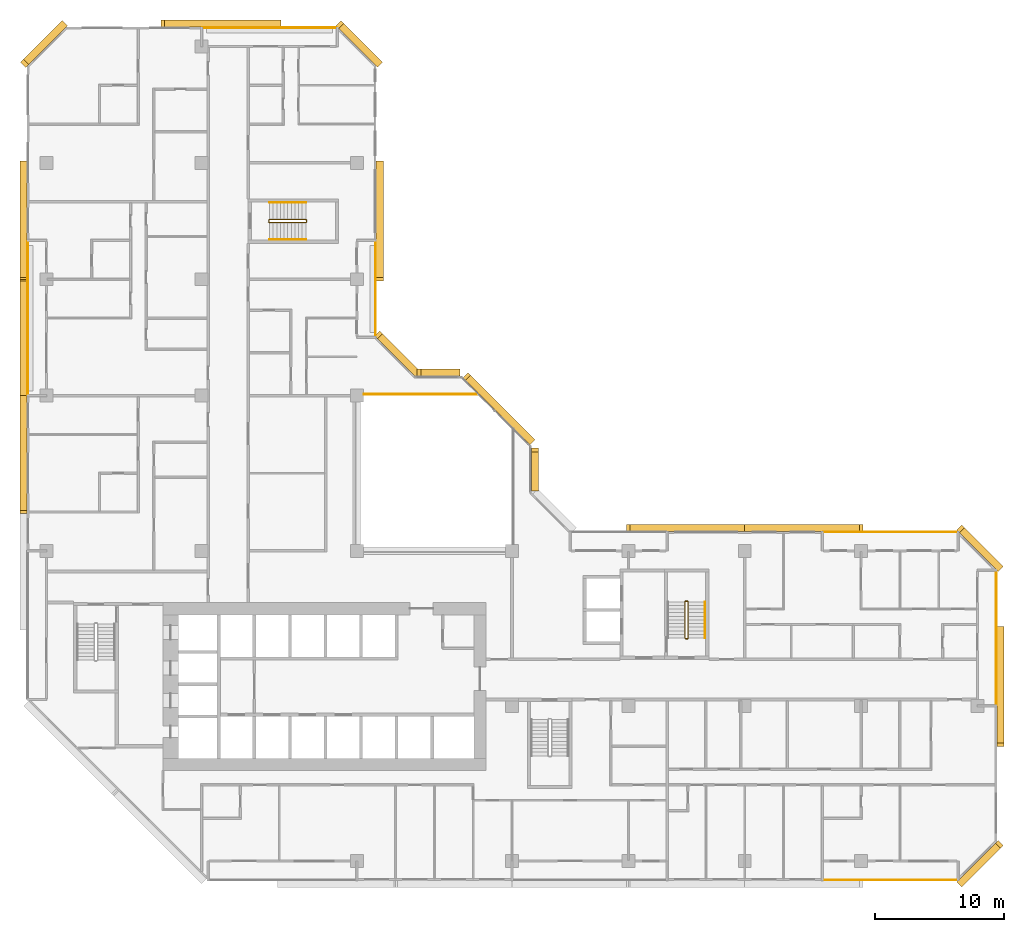
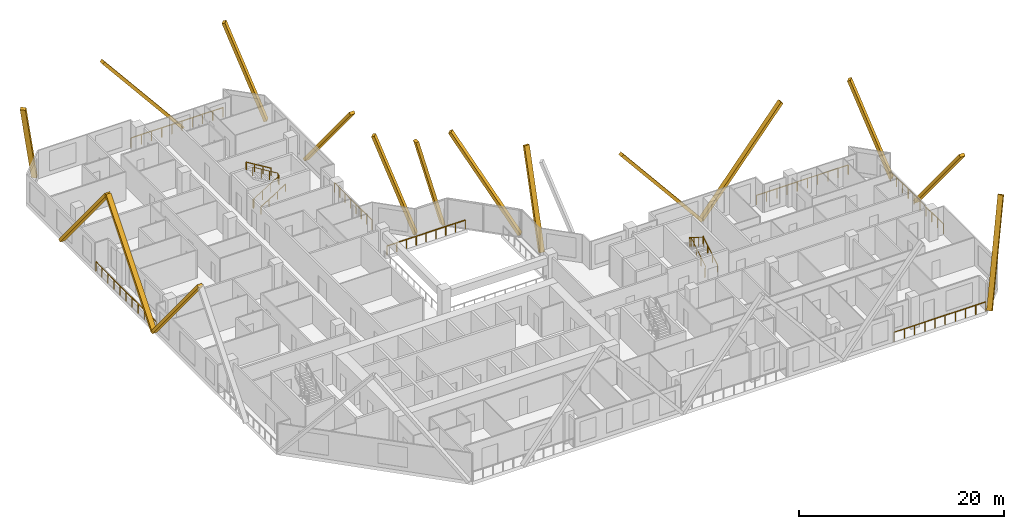
# One storey, part 15 of 15: 16 coverings, 12 railings.
"""IFC4 building model written with IfcOpenShell, lengths in metres."""

from ifc_helpers import new_model, si_unit, direction, frame, origin, origin_2d, place, context, subcontext, project, spatial, rectangle, extrude, material, material_profile, profile_set, type_object, element, save


model = new_model("IFC4")

# Units and contexts
model_context = context("Model", 3, precision=1e-05, world=origin(), true_north=direction((0.0, 1.0)))
body_context = subcontext(model_context, "Body", "Model", "MODEL_VIEW")
ifc_project = project(units=[si_unit("LENGTHUNIT", "METRE"), si_unit("AREAUNIT", "SQUARE_METRE"), si_unit("VOLUMEUNIT", "CUBIC_METRE"), si_unit("PLANEANGLEUNIT", "RADIAN"), si_unit("MASSUNIT", "GRAM", prefix="KILO")], contexts=[model_context])

# Site, building, storey
site_placement = place(None, origin())
site = spatial("IfcSite", under=ifc_project, at=site_placement, CompositionType="ELEMENT")
building_placement = place(site_placement, origin())
building = spatial("IfcBuilding", under=site, at=building_placement, Name="Chenar Terraces", CompositionType="ELEMENT")
storey_placement = place(building_placement, frame((0.0, 0.0, 129.39990234375)))
storey = spatial("IfcBuildingStorey", under=building, at=storey_placement, Name="L30", CompositionType="ELEMENT", Elevation=129.39990234375)

# Railings
ifc_material_1 = material(Name="Powder-coated steel", Category="steel")
railing_type_1 = type_object("IfcRailingType", Name="Guard 1100 steel rail with glass infill", PredefinedType="GUARDRAIL", material=ifc_material_1)
railing_1_placement = place(storey_placement, frame((24.550048828125, 36.10009765625, 0.0)))
element("IfcRailing", 1, at=railing_1_placement, inside=storey, type_object=railing_type_1, Name="Guard L30-2", PredefinedType="GUARDRAIL", context=body_context, shape_type="SweptSolid", body=[
    extrude(rectangle(XDim=0.06005859375, YDim=0.06005859375, at=origin_2d()), frame((0.0, 0.0, 1.070068359375), z_axis=(1.0, 0.0, 0.0), x_axis=(0.0, 1.0, 0.0)), (0.0, 0.0, 1.0), 8.849853515625),
    extrude(rectangle(XDim=0.050048828125, YDim=0.050048828125, at=origin_2d()), origin(), (0.0, 0.0, 1.0), 1.0400390625),
    extrude(rectangle(XDim=0.050048828125, YDim=0.050048828125, at=origin_2d()), frame((1.106201171875, 0.0, 0.0)), (0.0, 0.0, 1.0), 1.0400390625),
    extrude(rectangle(XDim=0.050048828125, YDim=0.050048828125, at=origin_2d()), frame((2.21240234375, 0.0, 0.0)), (0.0, 0.0, 1.0), 1.0400390625),
    extrude(rectangle(XDim=0.050048828125, YDim=0.050048828125, at=origin_2d()), frame((3.318603515625, 0.0, 0.0)), (0.0, 0.0, 1.0), 1.0400390625),
    extrude(rectangle(XDim=0.050048828125, YDim=0.050048828125, at=origin_2d()), frame((4.4248046875, 0.0, 0.0)), (0.0, 0.0, 1.0), 1.0400390625),
    extrude(rectangle(XDim=0.050048828125, YDim=0.050048828125, at=origin_2d()), frame((5.53125, 0.0, 0.0)), (0.0, 0.0, 1.0), 1.0400390625),
    extrude(rectangle(XDim=0.050048828125, YDim=0.050048828125, at=origin_2d()), frame((6.637451171875, 0.0, 0.0)), (0.0, 0.0, 1.0), 1.0400390625),
    extrude(rectangle(XDim=0.050048828125, YDim=0.050048828125, at=origin_2d()), frame((7.74365234375, 0.0, 0.0)), (0.0, 0.0, 1.0), 1.0400390625),
    extrude(rectangle(XDim=0.050048828125, YDim=0.050048828125, at=origin_2d()), frame((8.849853515625, 0.0, 0.0)), (0.0, 0.0, 1.0), 1.0400390625),
])
ifc_material_2 = material(Name="Stainless steel and glass", Category="steel")
railing_type_2 = type_object("IfcRailingType", Name="Loggia guard 1150", PredefinedType="GUARDRAIL", material=ifc_material_2)
railing_2_placement = place(storey_placement, frame((25.449951171875, 40.574951171875, 0.0)))
element("IfcRailing", 2, at=railing_2_placement, inside=storey, type_object=railing_type_2, Name="Loggia guard", PredefinedType="GUARDRAIL", context=body_context, shape_type="SweptSolid", body=[
    extrude(rectangle(XDim=0.048095703125, YDim=0.048095703125, at=origin_2d()), frame((0.0, 0.0, 1.1259765625), z_axis=(0.0, 1.0, 0.0), x_axis=(-1.0, 0.0, 0.0)), (0.0, 0.0, 1.0), 7.35009765625),
    extrude(rectangle(XDim=0.0419921875, YDim=0.0419921875, at=origin_2d()), origin(), (0.0, 0.0, 1.0), 1.101806640625),
    extrude(rectangle(XDim=0.0419921875, YDim=0.0419921875, at=origin_2d()), frame((0.0, 1.050048828125, 0.0)), (0.0, 0.0, 1.0), 1.101806640625),
    extrude(rectangle(XDim=0.0419921875, YDim=0.0419921875, at=origin_2d()), frame((0.0, 2.10009765625, 0.0)), (0.0, 0.0, 1.0), 1.101806640625),
    extrude(rectangle(XDim=0.0419921875, YDim=0.0419921875, at=origin_2d()), frame((0.0, 3.150146484375, 0.0)), (0.0, 0.0, 1.0), 1.101806640625),
    extrude(rectangle(XDim=0.0419921875, YDim=0.0419921875, at=origin_2d()), frame((0.0, 4.199951171875, 0.0)), (0.0, 0.0, 1.0), 1.101806640625),
    extrude(rectangle(XDim=0.0419921875, YDim=0.0419921875, at=origin_2d()), frame((0.0, 5.25, 0.0)), (0.0, 0.0, 1.0), 1.101806640625),
    extrude(rectangle(XDim=0.0419921875, YDim=0.0419921875, at=origin_2d()), frame((0.0, 6.300048828125, 0.0)), (0.0, 0.0, 1.0), 1.101806640625),
    extrude(rectangle(XDim=0.0419921875, YDim=0.0419921875, at=origin_2d()), frame((0.0, 7.35009765625, 0.0)), (0.0, 0.0, 1.0), 1.101806640625),
])
railing_3_placement = place(storey_placement, frame((73.449951171875, 12.074951171875, 0.0)))
element("IfcRailing", 3, at=railing_3_placement, inside=storey, type_object=railing_type_2, Name="Loggia guard", PredefinedType="GUARDRAIL", context=body_context, shape_type="SweptSolid", body=[
    extrude(rectangle(XDim=0.048095703125, YDim=0.048095703125, at=origin_2d()), frame((0.0, 0.0, 1.1259765625), z_axis=(0.0, 1.0, 0.0), x_axis=(-1.0, 0.0, 0.0)), (0.0, 0.0, 1.0), 10.35009765625),
    extrude(rectangle(XDim=0.0419921875, YDim=0.0419921875, at=origin_2d()), origin(), (0.0, 0.0, 1.0), 1.101806640625),
    extrude(rectangle(XDim=0.0419921875, YDim=0.0419921875, at=origin_2d()), frame((0.0, 1.14990234375, 0.0)), (0.0, 0.0, 1.0), 1.101806640625),
    extrude(rectangle(XDim=0.0419921875, YDim=0.0419921875, at=origin_2d()), frame((0.0, 2.300048828125, 0.0)), (0.0, 0.0, 1.0), 1.101806640625),
    extrude(rectangle(XDim=0.0419921875, YDim=0.0419921875, at=origin_2d()), frame((0.0, 3.449951171875, 0.0)), (0.0, 0.0, 1.0), 1.101806640625),
    extrude(rectangle(XDim=0.0419921875, YDim=0.0419921875, at=origin_2d()), frame((0.0, 4.60009765625, 0.0)), (0.0, 0.0, 1.0), 1.101806640625),
    extrude(rectangle(XDim=0.0419921875, YDim=0.0419921875, at=origin_2d()), frame((0.0, 5.75, 0.0)), (0.0, 0.0, 1.0), 1.101806640625),
    extrude(rectangle(XDim=0.0419921875, YDim=0.0419921875, at=origin_2d()), frame((0.0, 6.900146484375, 0.0)), (0.0, 0.0, 1.0), 1.101806640625),
    extrude(rectangle(XDim=0.0419921875, YDim=0.0419921875, at=origin_2d()), frame((0.0, 8.050048828125, 0.0)), (0.0, 0.0, 1.0), 1.101806640625),
    extrude(rectangle(XDim=0.0419921875, YDim=0.0419921875, at=origin_2d()), frame((0.0, 9.2001953125, 0.0)), (0.0, 0.0, 1.0), 1.101806640625),
    extrude(rectangle(XDim=0.0419921875, YDim=0.0419921875, at=origin_2d()), frame((0.0, 10.35009765625, 0.0)), (0.0, 0.0, 1.0), 1.101806640625),
])
for number, where, name in (
    (4, (70.425048828125, 25.449951171875, 0.0), "Loggia guard"),
    (5, (22.425048828125, 64.449951171875, 0.0), "Loggia guard"),
):
    element("IfcRailing", number, at=place(storey_placement, frame(where)), inside=storey, type_object=railing_type_2, Name=name, PredefinedType="GUARDRAIL", context=body_context, shape_type="SweptSolid", body=[
        extrude(rectangle(XDim=0.048095703125, YDim=0.048095703125, at=origin_2d()), frame((0.0, 0.0, 1.1259765625), z_axis=(-1.0, 0.0, 0.0), x_axis=(0.0, -1.0, 0.0)), (0.0, 0.0, 1.0), 10.35009765625),
        extrude(rectangle(XDim=0.0419921875, YDim=0.0419921875, at=origin_2d()), origin(), (0.0, 0.0, 1.0), 1.101806640625),
        extrude(rectangle(XDim=0.0419921875, YDim=0.0419921875, at=origin_2d()), frame((-1.14990234375, 0.0, 0.0)), (0.0, 0.0, 1.0), 1.101806640625),
        extrude(rectangle(XDim=0.0419921875, YDim=0.0419921875, at=origin_2d()), frame((-2.300048828125, 0.0, 0.0)), (0.0, 0.0, 1.0), 1.101806640625),
        extrude(rectangle(XDim=0.0419921875, YDim=0.0419921875, at=origin_2d()), frame((-3.449951171875, 0.0, 0.0)), (0.0, 0.0, 1.0), 1.101806640625),
        extrude(rectangle(XDim=0.0419921875, YDim=0.0419921875, at=origin_2d()), frame((-4.60009765625, 0.0, 0.0)), (0.0, 0.0, 1.0), 1.101806640625),
        extrude(rectangle(XDim=0.0419921875, YDim=0.0419921875, at=origin_2d()), frame((-5.75, 0.0, 0.0)), (0.0, 0.0, 1.0), 1.101806640625),
        extrude(rectangle(XDim=0.0419921875, YDim=0.0419921875, at=origin_2d()), frame((-6.900146484375, 0.0, 0.0)), (0.0, 0.0, 1.0), 1.101806640625),
        extrude(rectangle(XDim=0.0419921875, YDim=0.0419921875, at=origin_2d()), frame((-8.050048828125, 0.0, 0.0)), (0.0, 0.0, 1.0), 1.101806640625),
        extrude(rectangle(XDim=0.0419921875, YDim=0.0419921875, at=origin_2d()), frame((-9.2001953125, 0.0, 0.0)), (0.0, 0.0, 1.0), 1.101806640625),
        extrude(rectangle(XDim=0.0419921875, YDim=0.0419921875, at=origin_2d()), frame((-10.35009765625, 0.0, 0.0)), (0.0, 0.0, 1.0), 1.101806640625),
    ])
railing_4_placement = place(storey_placement, frame((60.074951171875, -1.449951171875, 0.0)))
element("IfcRailing", 6, at=railing_4_placement, inside=storey, type_object=railing_type_2, Name="Loggia guard", PredefinedType="GUARDRAIL", context=body_context, shape_type="SweptSolid", body=[
    extrude(rectangle(XDim=0.048095703125, YDim=0.048095703125, at=origin_2d()), frame((0.0, 0.0, 1.1259765625), z_axis=(1.0, 0.0, 0.0), x_axis=(0.0, 1.0, 0.0)), (0.0, 0.0, 1.0), 10.35009765625),
    extrude(rectangle(XDim=0.0419921875, YDim=0.0419921875, at=origin_2d()), origin(), (0.0, 0.0, 1.0), 1.101806640625),
    extrude(rectangle(XDim=0.0419921875, YDim=0.0419921875, at=origin_2d()), frame((1.14990234375, 0.0, 0.0)), (0.0, 0.0, 1.0), 1.101806640625),
    extrude(rectangle(XDim=0.0419921875, YDim=0.0419921875, at=origin_2d()), frame((2.300048828125, 0.0, 0.0)), (0.0, 0.0, 1.0), 1.101806640625),
    extrude(rectangle(XDim=0.0419921875, YDim=0.0419921875, at=origin_2d()), frame((3.449951171875, 0.0, 0.0)), (0.0, 0.0, 1.0), 1.101806640625),
    extrude(rectangle(XDim=0.0419921875, YDim=0.0419921875, at=origin_2d()), frame((4.60009765625, 0.0, 0.0)), (0.0, 0.0, 1.0), 1.101806640625),
    extrude(rectangle(XDim=0.0419921875, YDim=0.0419921875, at=origin_2d()), frame((5.75, 0.0, 0.0)), (0.0, 0.0, 1.0), 1.101806640625),
    extrude(rectangle(XDim=0.0419921875, YDim=0.0419921875, at=origin_2d()), frame((6.900146484375, 0.0, 0.0)), (0.0, 0.0, 1.0), 1.101806640625),
    extrude(rectangle(XDim=0.0419921875, YDim=0.0419921875, at=origin_2d()), frame((8.050048828125, 0.0, 0.0)), (0.0, 0.0, 1.0), 1.101806640625),
    extrude(rectangle(XDim=0.0419921875, YDim=0.0419921875, at=origin_2d()), frame((9.2001953125, 0.0, 0.0)), (0.0, 0.0, 1.0), 1.101806640625),
    extrude(rectangle(XDim=0.0419921875, YDim=0.0419921875, at=origin_2d()), frame((10.35009765625, 0.0, 0.0)), (0.0, 0.0, 1.0), 1.101806640625),
])
railing_5_placement = place(storey_placement, frame((-1.449951171875, 47.925048828125, 0.0)))
element("IfcRailing", 7, at=railing_5_placement, inside=storey, type_object=railing_type_2, Name="Loggia guard", PredefinedType="GUARDRAIL", context=body_context, shape_type="SweptSolid", body=[
    extrude(rectangle(XDim=0.048095703125, YDim=0.048095703125, at=origin_2d()), frame((0.0, 0.0, 1.1259765625), z_axis=(0.0, -1.0, 0.0), x_axis=(1.0, 0.0, 0.0)), (0.0, 0.0, 1.0), 11.85009765625),
    extrude(rectangle(XDim=0.0419921875, YDim=0.0419921875, at=origin_2d()), origin(), (0.0, 0.0, 1.0), 1.101806640625),
    extrude(rectangle(XDim=0.0419921875, YDim=0.0419921875, at=origin_2d()), frame((0.0, -1.18505859375, 0.0)), (0.0, 0.0, 1.0), 1.101806640625),
    extrude(rectangle(XDim=0.0419921875, YDim=0.0419921875, at=origin_2d()), frame((0.0, -2.3701171875, 0.0)), (0.0, 0.0, 1.0), 1.101806640625),
    extrude(rectangle(XDim=0.0419921875, YDim=0.0419921875, at=origin_2d()), frame((0.0, -3.554931640625, 0.0)), (0.0, 0.0, 1.0), 1.101806640625),
    extrude(rectangle(XDim=0.0419921875, YDim=0.0419921875, at=origin_2d()), frame((0.0, -4.739990234375, 0.0)), (0.0, 0.0, 1.0), 1.101806640625),
    extrude(rectangle(XDim=0.0419921875, YDim=0.0419921875, at=origin_2d()), frame((0.0, -5.925048828125, 0.0)), (0.0, 0.0, 1.0), 1.101806640625),
    extrude(rectangle(XDim=0.0419921875, YDim=0.0419921875, at=origin_2d()), frame((0.0, -7.110107421875, 0.0)), (0.0, 0.0, 1.0), 1.101806640625),
    extrude(rectangle(XDim=0.0419921875, YDim=0.0419921875, at=origin_2d()), frame((0.0, -8.295166015625, 0.0)), (0.0, 0.0, 1.0), 1.101806640625),
    extrude(rectangle(XDim=0.0419921875, YDim=0.0419921875, at=origin_2d()), frame((0.0, -9.47998046875, 0.0)), (0.0, 0.0, 1.0), 1.101806640625),
    extrude(rectangle(XDim=0.0419921875, YDim=0.0419921875, at=origin_2d()), frame((0.0, -10.6650390625, 0.0)), (0.0, 0.0, 1.0), 1.101806640625),
    extrude(rectangle(XDim=0.0419921875, YDim=0.0419921875, at=origin_2d()), frame((0.0, -11.85009765625, 0.0)), (0.0, 0.0, 1.0), 1.101806640625),
])
ifc_material_3 = material(Name="Powder-coated steel", Category="steel")
railing_type_3 = type_object("IfcRailingType", Name="Stair guard 1100", PredefinedType="GUARDRAIL", material=ifc_material_3)
railing_6_placement = place(storey_placement, frame((49.375, 17.25, 3.75)))
element("IfcRailing", 8, at=railing_6_placement, inside=storey, type_object=railing_type_3, Name="L30 ST3 stair guard 1", PredefinedType="GUARDRAIL", context=body_context, shape_type="SweptSolid", body=[
    extrude(rectangle(XDim=0.048095703125, YDim=0.048095703125, at=origin_2d()), frame((0.0, 0.0, 1.076171875), z_axis=(0.0, 0.854202870247, -0.519939858505), x_axis=(-1.0, 0.0, 0.0)), (0.0, 0.0, 1.0), 3.278076171875),
    extrude(rectangle(XDim=0.048095703125, YDim=0.048095703125, at=origin_2d()), frame((0.0, 2.800048828125, -0.62841796875), z_axis=(0.270899902878, 0.270899902878, -0.923702595667), x_axis=(-0.707106781187, 0.707106781187, 0.0)), (0.0, 0.0, 1.0), 0.184814453125),
    extrude(rectangle(XDim=0.048095703125, YDim=0.048095703125, at=origin_2d()), frame((0.050048828125, 2.85009765625, -0.798828125), z_axis=(1.0, 0.0, 0.0), x_axis=(0.0, 1.0, 0.0)), (0.0, 0.0, 1.0), 0.14990234375),
    extrude(rectangle(XDim=0.048095703125, YDim=0.048095703125, at=origin_2d()), frame((0.199951171875, 2.85009765625, -0.798828125), z_axis=(0.707106781187, -0.707106781187, 0.0), x_axis=(0.707106781187, 0.707106781187, 0.0)), (0.0, 0.0, 1.0), 0.07080078125),
    extrude(rectangle(XDim=0.048095703125, YDim=0.048095703125, at=origin_2d()), frame((0.25, 2.800048828125, -0.798828125), z_axis=(0.0, -0.854202870247, -0.519939858505), x_axis=(1.0, 0.0, 0.0)), (0.0, 0.0, 1.0), 3.278076171875),
    extrude(rectangle(XDim=0.048095703125, YDim=0.048095703125, at=origin_2d()), frame((0.25, 0.0, -2.50341796875), z_axis=(-0.270899902878, -0.270899902878, -0.923702595667), x_axis=(0.707106781187, -0.707106781187, 0.0)), (0.0, 0.0, 1.0), 0.184814453125),
    extrude(rectangle(XDim=0.048095703125, YDim=0.048095703125, at=origin_2d()), frame((0.199951171875, -0.050048828125, -2.673828125), z_axis=(-1.0, 0.0, 0.0), x_axis=(0.0, -1.0, 0.0)), (0.0, 0.0, 1.0), 0.14990234375),
    extrude(rectangle(XDim=0.0419921875, YDim=0.0419921875, at=origin_2d()), origin(), (0.0, 0.0, 1.0), 1.052001953125),
    extrude(rectangle(XDim=0.0419921875, YDim=0.0419921875, at=origin_2d()), frame((0.0, 0.933349609375, -0.568115234375)), (0.0, 0.0, 1.0), 1.052001953125),
    extrude(rectangle(XDim=0.0419921875, YDim=0.0419921875, at=origin_2d()), frame((0.0, 1.86669921875, -1.13623046875)), (0.0, 0.0, 1.0), 1.052001953125),
    extrude(rectangle(XDim=0.0419921875, YDim=0.0419921875, at=origin_2d()), frame((0.0, 2.800048828125, -1.704345703125)), (0.0, 0.0, 1.0), 1.052001953125),
    extrude(rectangle(XDim=0.0419921875, YDim=0.0419921875, at=origin_2d()), frame((0.050048828125, 2.85009765625, -1.875)), (0.0, 0.0, 1.0), 1.052001953125),
    extrude(rectangle(XDim=0.0419921875, YDim=0.0419921875, at=origin_2d()), frame((0.199951171875, 2.85009765625, -1.875)), (0.0, 0.0, 1.0), 1.052001953125),
    extrude(rectangle(XDim=0.0419921875, YDim=0.0419921875, at=origin_2d()), frame((0.25, 2.800048828125, -1.875)), (0.0, 0.0, 1.0), 1.052001953125),
    extrude(rectangle(XDim=0.0419921875, YDim=0.0419921875, at=origin_2d()), frame((0.25, 1.86669921875, -2.443115234375)), (0.0, 0.0, 1.0), 1.052001953125),
    extrude(rectangle(XDim=0.0419921875, YDim=0.0419921875, at=origin_2d()), frame((0.25, 0.933349609375, -3.01123046875)), (0.0, 0.0, 1.0), 1.052001953125),
    extrude(rectangle(XDim=0.0419921875, YDim=0.0419921875, at=origin_2d()), frame((0.25, 0.0, -3.579345703125)), (0.0, 0.0, 1.0), 1.052001953125),
    extrude(rectangle(XDim=0.0419921875, YDim=0.0419921875, at=origin_2d()), frame((0.199951171875, -0.050048828125, -3.75)), (0.0, 0.0, 1.0), 1.052001953125),
    extrude(rectangle(XDim=0.0419921875, YDim=0.0419921875, at=origin_2d()), frame((0.050048828125, -0.050048828125, -3.75)), (0.0, 0.0, 1.0), 1.052001953125),
])
railing_7_placement = place(storey_placement, frame((17.25, 49.625, 3.75)))
element("IfcRailing", 9, at=railing_7_placement, inside=storey, type_object=railing_type_3, Name="L30 ST4 stair guard 1", PredefinedType="GUARDRAIL", context=body_context, shape_type="SweptSolid", body=[
    extrude(rectangle(XDim=0.048095703125, YDim=0.048095703125, at=origin_2d()), frame((0.0, 0.0, 1.076171875), z_axis=(0.854202870247, 0.0, -0.519939858505), x_axis=(0.0, 1.0, 0.0)), (0.0, 0.0, 1.0), 3.278076171875),
    extrude(rectangle(XDim=0.048095703125, YDim=0.048095703125, at=origin_2d()), frame((2.800048828125, 0.0, -0.62841796875), z_axis=(0.270899902878, -0.270899902878, -0.923702595667), x_axis=(0.707106781187, 0.707106781187, 0.0)), (0.0, 0.0, 1.0), 0.184814453125),
    extrude(rectangle(XDim=0.048095703125, YDim=0.048095703125, at=origin_2d()), frame((2.85009765625, -0.050048828125, -0.798828125), z_axis=(0.0, -1.0, 0.0), x_axis=(1.0, 0.0, 0.0)), (0.0, 0.0, 1.0), 0.14990234375),
    extrude(rectangle(XDim=0.048095703125, YDim=0.048095703125, at=origin_2d()), frame((2.85009765625, -0.199951171875, -0.798828125), z_axis=(-0.707106781187, -0.707106781187, 0.0), x_axis=(0.707106781187, -0.707106781187, 0.0)), (0.0, 0.0, 1.0), 0.07080078125),
    extrude(rectangle(XDim=0.048095703125, YDim=0.048095703125, at=origin_2d()), frame((2.800048828125, -0.25, -0.798828125), z_axis=(-0.854202870247, 0.0, -0.519939858505), x_axis=(0.0, -1.0, 0.0)), (0.0, 0.0, 1.0), 3.278076171875),
    extrude(rectangle(XDim=0.048095703125, YDim=0.048095703125, at=origin_2d()), frame((0.0, -0.25, -2.50341796875), z_axis=(-0.270899902878, 0.270899902878, -0.923702595667), x_axis=(-0.707106781187, -0.707106781187, 0.0)), (0.0, 0.0, 1.0), 0.184814453125),
    extrude(rectangle(XDim=0.048095703125, YDim=0.048095703125, at=origin_2d()), frame((-0.050048828125, -0.199951171875, -2.673828125), z_axis=(0.0, 1.0, 0.0), x_axis=(-1.0, 0.0, 0.0)), (0.0, 0.0, 1.0), 0.14990234375),
    extrude(rectangle(XDim=0.0419921875, YDim=0.0419921875, at=origin_2d()), origin(), (0.0, 0.0, 1.0), 1.052001953125),
    extrude(rectangle(XDim=0.0419921875, YDim=0.0419921875, at=origin_2d()), frame((0.933349609375, 0.0, -0.568115234375)), (0.0, 0.0, 1.0), 1.052001953125),
    extrude(rectangle(XDim=0.0419921875, YDim=0.0419921875, at=origin_2d()), frame((1.86669921875, 0.0, -1.13623046875)), (0.0, 0.0, 1.0), 1.052001953125),
    extrude(rectangle(XDim=0.0419921875, YDim=0.0419921875, at=origin_2d()), frame((2.800048828125, 0.0, -1.704345703125)), (0.0, 0.0, 1.0), 1.052001953125),
    extrude(rectangle(XDim=0.0419921875, YDim=0.0419921875, at=origin_2d()), frame((2.85009765625, -0.050048828125, -1.875)), (0.0, 0.0, 1.0), 1.052001953125),
    extrude(rectangle(XDim=0.0419921875, YDim=0.0419921875, at=origin_2d()), frame((2.85009765625, -0.199951171875, -1.875)), (0.0, 0.0, 1.0), 1.052001953125),
    extrude(rectangle(XDim=0.0419921875, YDim=0.0419921875, at=origin_2d()), frame((2.800048828125, -0.25, -1.875)), (0.0, 0.0, 1.0), 1.052001953125),
    extrude(rectangle(XDim=0.0419921875, YDim=0.0419921875, at=origin_2d()), frame((1.86669921875, -0.25, -2.443115234375)), (0.0, 0.0, 1.0), 1.052001953125),
    extrude(rectangle(XDim=0.0419921875, YDim=0.0419921875, at=origin_2d()), frame((0.933349609375, -0.25, -3.01123046875)), (0.0, 0.0, 1.0), 1.052001953125),
    extrude(rectangle(XDim=0.0419921875, YDim=0.0419921875, at=origin_2d()), frame((0.0, -0.25, -3.579345703125)), (0.0, 0.0, 1.0), 1.052001953125),
    extrude(rectangle(XDim=0.0419921875, YDim=0.0419921875, at=origin_2d()), frame((-0.050048828125, -0.199951171875, -3.75)), (0.0, 0.0, 1.0), 1.052001953125),
    extrude(rectangle(XDim=0.0419921875, YDim=0.0419921875, at=origin_2d()), frame((-0.050048828125, -0.050048828125, -3.75)), (0.0, 0.0, 1.0), 1.052001953125),
])
ifc_material_4 = material(Name="Powder-coated steel", Category="steel")
railing_type_4 = type_object("IfcRailingType", Name="Stair handrail 900", PredefinedType="HANDRAIL", material=ifc_material_4)
railing_8_placement = place(storey_placement, frame((50.925048828125, 17.25, 0.170654296875)))
element("IfcRailing", 10, at=railing_8_placement, inside=storey, type_object=railing_type_4, Name="L30 ST3 stair handrail 1", PredefinedType="HANDRAIL", context=body_context, shape_type="SweptSolid", body=[
    extrude(rectangle(XDim=0.048095703125, YDim=0.048095703125, at=origin_2d()), frame((0.0, 0.0, 0.8759765625), z_axis=(0.0, 0.854202870247, 0.519939858505), x_axis=(-1.0, 0.0, 0.0)), (0.0, 0.0, 1.0), 3.278076171875),
    extrude(rectangle(XDim=0.0419921875, YDim=0.0419921875, at=origin_2d()), origin(), (0.0, 0.0, 1.0), 0.851806640625),
    extrude(rectangle(XDim=0.0419921875, YDim=0.0419921875, at=origin_2d()), frame((0.0, 0.933349609375, 0.568115234375)), (0.0, 0.0, 1.0), 0.851806640625),
    extrude(rectangle(XDim=0.0419921875, YDim=0.0419921875, at=origin_2d()), frame((0.0, 1.86669921875, 1.13623046875)), (0.0, 0.0, 1.0), 0.851806640625),
    extrude(rectangle(XDim=0.0419921875, YDim=0.0419921875, at=origin_2d()), frame((0.0, 2.800048828125, 1.704345703125)), (0.0, 0.0, 1.0), 0.851806640625),
])
railing_9_placement = place(storey_placement, frame((17.25, 48.074951171875, 0.170654296875)))
element("IfcRailing", 11, at=railing_9_placement, inside=storey, type_object=railing_type_4, Name="L30 ST4 stair handrail 1", PredefinedType="HANDRAIL", context=body_context, shape_type="SweptSolid", body=[
    extrude(rectangle(XDim=0.048095703125, YDim=0.048095703125, at=origin_2d()), frame((0.0, 0.0, 0.8759765625), z_axis=(0.854202870247, 0.0, 0.519939858505), x_axis=(0.0, 1.0, 0.0)), (0.0, 0.0, 1.0), 3.278076171875),
    extrude(rectangle(XDim=0.0419921875, YDim=0.0419921875, at=origin_2d()), origin(), (0.0, 0.0, 1.0), 0.851806640625),
    extrude(rectangle(XDim=0.0419921875, YDim=0.0419921875, at=origin_2d()), frame((0.933349609375, 0.0, 0.568115234375)), (0.0, 0.0, 1.0), 0.851806640625),
    extrude(rectangle(XDim=0.0419921875, YDim=0.0419921875, at=origin_2d()), frame((1.86669921875, 0.0, 1.13623046875)), (0.0, 0.0, 1.0), 0.851806640625),
    extrude(rectangle(XDim=0.0419921875, YDim=0.0419921875, at=origin_2d()), frame((2.800048828125, 0.0, 1.704345703125)), (0.0, 0.0, 1.0), 0.851806640625),
])
railing_10_placement = place(storey_placement, frame((20.050048828125, 50.925048828125, 2.045654296875)))
element("IfcRailing", 12, at=railing_10_placement, inside=storey, type_object=railing_type_4, Name="L30 ST4 stair handrail 2", PredefinedType="HANDRAIL", context=body_context, shape_type="SweptSolid", body=[
    extrude(rectangle(XDim=0.048095703125, YDim=0.048095703125, at=origin_2d()), frame((0.0, 0.0, 0.8759765625), z_axis=(-0.854202870247, 0.0, 0.519939858505), x_axis=(0.0, -1.0, 0.0)), (0.0, 0.0, 1.0), 3.278076171875),
    extrude(rectangle(XDim=0.0419921875, YDim=0.0419921875, at=origin_2d()), origin(), (0.0, 0.0, 1.0), 0.851806640625),
    extrude(rectangle(XDim=0.0419921875, YDim=0.0419921875, at=origin_2d()), frame((-0.933349609375, 0.0, 0.568115234375)), (0.0, 0.0, 1.0), 0.851806640625),
    extrude(rectangle(XDim=0.0419921875, YDim=0.0419921875, at=origin_2d()), frame((-1.86669921875, 0.0, 1.13623046875)), (0.0, 0.0, 1.0), 0.851806640625),
    extrude(rectangle(XDim=0.0419921875, YDim=0.0419921875, at=origin_2d()), frame((-2.800048828125, 0.0, 1.704345703125)), (0.0, 0.0, 1.0), 0.851806640625),
])

# Coverings
ifc_material_5 = material(Name="Terracotta", Category="masonry")
ifc_material_profile = material_profile(ifc_material_5, rectangle(XDim=0.550048828125, YDim=0.330078125, at=origin_2d()), Name="Terracotta baguette 550 x 330")
ifc_profile_set = profile_set([ifc_material_profile], Name="Terracotta")
covering_type = type_object("IfcCoveringType", Name="Terracotta baguette 550 x 330", PredefinedType="CLADDING", material=ifc_profile_set)
for number, where, z_axis, x_axis, name in (
    (13, (63.0, 25.77490234375, 11.10009765625), (-0.634966765532, 0.0, -0.772539453148), (0.0, -1.0, 0.0), "Terracotta baguette"),
    (14, (54.0, 25.77490234375, 0.150146484375), (-0.634966765532, 0.0, 0.772539453148), (0.0, -1.0, 0.0), "Terracotta baguette"),
):
    element("IfcCovering", number, at=place(storey_placement, frame(where, z_axis=z_axis, x_axis=x_axis)), inside=storey, type_object=covering_type, Name=name, PredefinedType="CLADDING", context=body_context, shape_type="SweptSolid", body=[
        extrude(rectangle(XDim=0.550048828125, YDim=0.330078125, at=origin_2d()), origin(), (0.0, 0.0, 1.0), 14.174072265625),
    ])
covering_1_placement = place(storey_placement, frame((37.77490234375, 28.800048828125, 0.150146484375), z_axis=(0.0, 0.26423624309, 0.964457986559), x_axis=(-1.0, 0.0, 0.0)))
element("IfcCovering", 15, at=covering_1_placement, inside=storey, type_object=covering_type, Name="Terracotta baguette", PredefinedType="CLADDING", context=body_context, shape_type="SweptSolid", body=[
    extrude(rectangle(XDim=0.550048828125, YDim=0.330078125, at=origin_2d()), origin(), (0.0, 0.0, 1.0), 11.353515625),
])
covering_2_placement = place(storey_placement, frame((37.482421875, 32.506591796875, 0.150146484375), z_axis=(-0.382282332253, 0.382282332253, 0.841261217991), x_axis=(-0.707106781187, -0.707106781187, 0.0)))
element("IfcCovering", 16, at=covering_2_placement, inside=storey, type_object=covering_type, Name="Terracotta baguette", PredefinedType="CLADDING", context=body_context, shape_type="SweptSolid", body=[
    extrude(rectangle(XDim=0.550048828125, YDim=0.330078125, at=origin_2d()), origin(), (0.0, 0.0, 1.0), 13.01611328125),
])
covering_3_placement = place(storey_placement, frame((31.800048828125, 37.77490234375, 0.150146484375), z_axis=(-0.26423624309, 0.0, 0.964457986559), x_axis=(0.0, -1.0, 0.0)))
element("IfcCovering", 17, at=covering_3_placement, inside=storey, type_object=covering_type, Name="Terracotta baguette", PredefinedType="CLADDING", context=body_context, shape_type="SweptSolid", body=[
    extrude(rectangle(XDim=0.550048828125, YDim=0.330078125, at=origin_2d()), origin(), (0.0, 0.0, 1.0), 11.353515625),
])
covering_4_placement = place(storey_placement, frame((28.6943359375, 37.6943359375, 0.150146484375), z_axis=(-0.255448778865, 0.255469569031, 0.932459768931), x_axis=(-0.70713555402, -0.707078007182, 0.0)))
element("IfcCovering", 18, at=covering_4_placement, inside=storey, type_object=covering_type, Name="Terracotta baguette", PredefinedType="CLADDING", context=body_context, shape_type="SweptSolid", body=[
    extrude(rectangle(XDim=0.550048828125, YDim=0.330078125, at=origin_2d()), origin(), (0.0, 0.0, 1.0), 11.7431640625),
])
covering_5_placement = place(storey_placement, frame((25.77490234375, 45.0, 11.10009765625), z_axis=(0.0, 0.634966765532, -0.772539453148), x_axis=(-1.0, 0.0, 0.0)))
element("IfcCovering", 19, at=covering_5_placement, inside=storey, type_object=covering_type, Name="Terracotta baguette", PredefinedType="CLADDING", context=body_context, shape_type="SweptSolid", body=[
    extrude(rectangle(XDim=0.550048828125, YDim=0.330078125, at=origin_2d()), origin(), (0.0, 0.0, 1.0), 14.174072265625),
])
covering_6_placement = place(storey_placement, frame((25.6943359375, 61.6943359375, 0.150146484375), z_axis=(-0.255448778865, 0.255469569031, 0.932459768931), x_axis=(-0.70713555402, -0.707078007182, 0.0)))
element("IfcCovering", 20, at=covering_6_placement, inside=storey, type_object=covering_type, Name="Terracotta baguette", PredefinedType="CLADDING", context=body_context, shape_type="SweptSolid", body=[
    extrude(rectangle(XDim=0.550048828125, YDim=0.330078125, at=origin_2d()), origin(), (0.0, 0.0, 1.0), 11.7431640625),
])
covering_7_placement = place(storey_placement, frame((18.0, 64.77490234375, 0.150146484375), z_axis=(-0.634966765532, 0.0, 0.772539453148), x_axis=(0.0, -1.0, 0.0)))
element("IfcCovering", 21, at=covering_7_placement, inside=storey, type_object=covering_type, Name="Terracotta baguette", PredefinedType="CLADDING", context=body_context, shape_type="SweptSolid", body=[
    extrude(rectangle(XDim=0.550048828125, YDim=0.330078125, at=origin_2d()), origin(), (0.0, 0.0, 1.0), 14.174072265625),
])
covering_8_placement = place(storey_placement, frame((1.3056640625, 64.6943359375, 0.150146484375), z_axis=(-0.255469569031, -0.255448778865, 0.932459768931), x_axis=(0.707078007182, -0.70713555402, 0.0)))
element("IfcCovering", 22, at=covering_8_placement, inside=storey, type_object=covering_type, Name="Terracotta baguette", PredefinedType="CLADDING", context=body_context, shape_type="SweptSolid", body=[
    extrude(rectangle(XDim=0.550048828125, YDim=0.330078125, at=origin_2d()), origin(), (0.0, 0.0, 1.0), 11.7431640625),
])
for number, where, z_axis, x_axis, name in (
    (23, (-1.77490234375, 54.0, 0.150146484375), (0.0, -0.634966765532, 0.772539453148), (1.0, 0.0, 0.0), "Terracotta baguette"),
    (24, (-1.77490234375, 45.0, 11.10009765625), (0.0, -0.634966765532, -0.772539453148), (1.0, 0.0, 0.0), "Terracotta baguette"),
    (25, (-1.77490234375, 36.0, 0.150146484375), (0.0, -0.634966765532, 0.772539453148), (1.0, 0.0, 0.0), "Terracotta baguette"),
):
    element("IfcCovering", number, at=place(storey_placement, frame(where, z_axis=z_axis, x_axis=x_axis)), inside=storey, type_object=covering_type, Name=name, PredefinedType="CLADDING", context=body_context, shape_type="SweptSolid", body=[
        extrude(rectangle(XDim=0.550048828125, YDim=0.330078125, at=origin_2d()), origin(), (0.0, 0.0, 1.0), 14.174072265625),
    ])
covering_9_placement = place(storey_placement, frame((70.6943359375, -1.6943359375, 0.150146484375), z_axis=(0.255469569031, 0.255448778865, 0.932459768931), x_axis=(-0.707078007182, 0.70713555402, 0.0)))
element("IfcCovering", 26, at=covering_9_placement, inside=storey, type_object=covering_type, Name="Terracotta baguette", PredefinedType="CLADDING", context=body_context, shape_type="SweptSolid", body=[
    extrude(rectangle(XDim=0.550048828125, YDim=0.330078125, at=origin_2d()), origin(), (0.0, 0.0, 1.0), 11.7431640625),
])
covering_10_placement = place(storey_placement, frame((73.77490234375, 9.0, 11.10009765625), z_axis=(0.0, 0.634966765532, -0.772539453148), x_axis=(-1.0, 0.0, 0.0)))
element("IfcCovering", 27, at=covering_10_placement, inside=storey, type_object=covering_type, Name="Terracotta baguette", PredefinedType="CLADDING", context=body_context, shape_type="SweptSolid", body=[
    extrude(rectangle(XDim=0.550048828125, YDim=0.330078125, at=origin_2d()), origin(), (0.0, 0.0, 1.0), 14.174072265625),
])
covering_11_placement = place(storey_placement, frame((73.6943359375, 22.6943359375, 0.150146484375), z_axis=(-0.255448778865, 0.255469569031, 0.932459768931), x_axis=(-0.70713555402, -0.707078007182, 0.0)))
element("IfcCovering", 28, at=covering_11_placement, inside=storey, type_object=covering_type, Name="Terracotta baguette", PredefinedType="CLADDING", context=body_context, shape_type="SweptSolid", body=[
    extrude(rectangle(XDim=0.550048828125, YDim=0.330078125, at=origin_2d()), origin(), (0.0, 0.0, 1.0), 11.7431640625),
])

save(model, "model.ifc")
